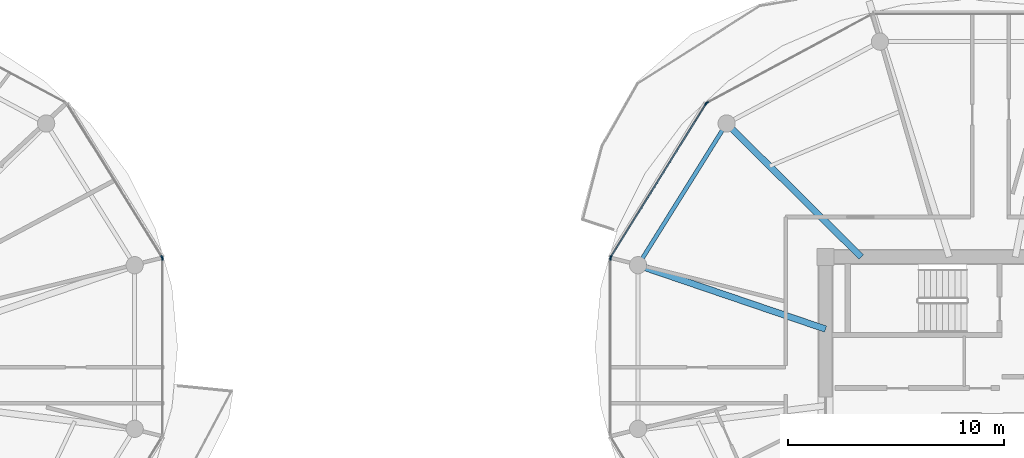
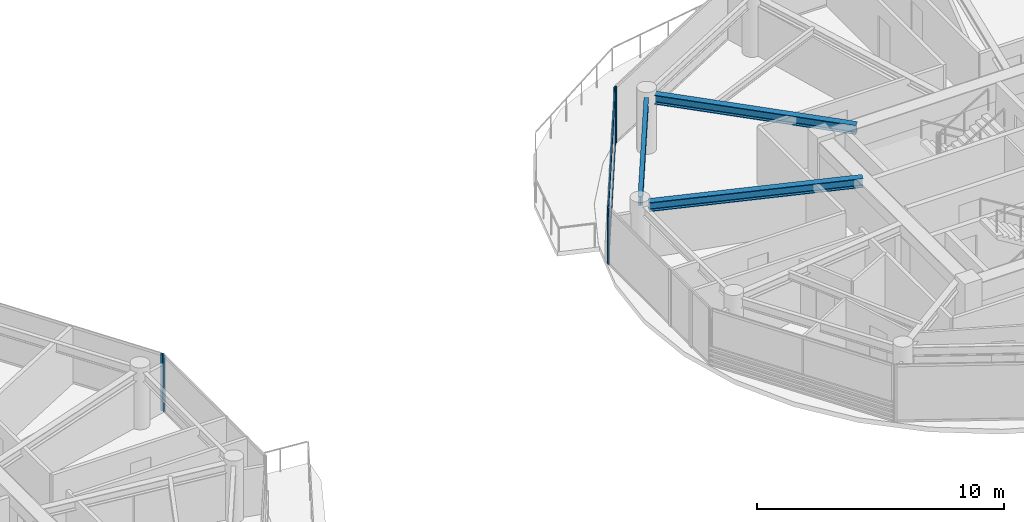
# One storey, part 7 of 22: 8 members, 3 beams, 5 elements without a shape of their own.
"""IFC4 building model written with IfcOpenShell, lengths in metres."""

from ifc_helpers import new_model, si_unit, direction, frame, origin, origin_2d, place, context, subcontext, project, spatial, rectangle, i_section, extrude, source, transform, mapped, material, layer, layer_set, material_profile, profile_set, type_object, type_shapes, element, aggregate, save


model = new_model("IFC4")

# Units and contexts
model_context = context("Model", 3, precision=1e-05, world=origin(), true_north=direction((0.0, 1.0)))
body_context = subcontext(model_context, "Body", "Model", "MODEL_VIEW")
ifc_project = project(units=[si_unit("LENGTHUNIT", "METRE"), si_unit("AREAUNIT", "SQUARE_METRE"), si_unit("VOLUMEUNIT", "CUBIC_METRE"), si_unit("PLANEANGLEUNIT", "RADIAN"), si_unit("MASSUNIT", "GRAM", prefix="KILO")], contexts=[model_context])

# Site, building, storey
site_placement = place(None, origin())
site = spatial("IfcSite", under=ifc_project, at=site_placement, CompositionType="ELEMENT")
building_placement = place(site_placement, origin())
building = spatial("IfcBuilding", under=site, at=building_placement, Name="Norrkilde Senior Care Towers", CompositionType="ELEMENT")
storey_placement = place(building_placement, frame((0.0, 0.0, 180.050048828125)))
storey = spatial("IfcBuildingStorey", under=building, at=storey_placement, Name="L56", CompositionType="ELEMENT", Elevation=180.050048828125)

# Beams
ifc_material_1 = material(Name="Steel S355", Category="steel")
ifc_material_profile_1 = material_profile(ifc_material_1, i_section(OverallWidth=0.18994140625, OverallDepth=0.449951171875, WebThickness=0.009521484375, FlangeThickness=0.0146484375, FilletRadius=0.02099609375, at=origin_2d()), Name="IPE 450")
ifc_profile_set_1 = profile_set([ifc_material_profile_1], Name="Steel S355")
beam_type_1 = type_object("IfcBeamType", Name="Perimeter Ring Spandrel Z3 IPE450", PredefinedType="SPANDREL", material=ifc_profile_set_1)
shared_shape_1 = source(origin(), body_context, "Body", "SweptSolid", [
    extrude(i_section(OverallWidth=0.18994140625, OverallDepth=0.449951171875, WebThickness=0.009521484375, FlangeThickness=0.0146484375, FilletRadius=0.02099609375, at=origin_2d()), origin(), (0.0, 0.0, 1.0), 7.0234375),
])
type_shapes(beam_type_1, [shared_shape_1])
beam_1_placement = place(storey_placement, frame((15.57666015625, 11.8291015625, 2.5849609375), z_axis=(-0.529789577822, -0.848129119433, 0.0), x_axis=(0.848129119433, -0.529789577822, 0.0)))
element("IfcBeam", 1, at=beam_1_placement, inside=storey, type_object=beam_type_1, Name="L56 Drum E Perimeter Spandrel 05", PredefinedType="SPANDREL", context=body_context, shape_type="MappedRepresentation", body=[
    mapped(shared_shape_1, transform((0.0, 0.0, 0.0), x_axis=(1.0, 0.0, 0.0), y_axis=(0.0, 1.0, 0.0), z_axis=(0.0, 0.0, 1.0), scale=1.0)),
])
ifc_material_profile_2 = material_profile(ifc_material_1, i_section(OverallWidth=0.300048828125, OverallDepth=0.449951171875, WebThickness=0.013916015625, FlangeThickness=0.02587890625, FilletRadius=0.027099609375, at=origin_2d()), Name="HEB 450")
ifc_profile_set_2 = profile_set([ifc_material_profile_2], Name="Steel S355")
beam_type_2 = type_object("IfcBeamType", Name="Radial Floor Beam Z3 HEB450", PredefinedType="BEAM", material=ifc_profile_set_2)
shared_shape_2 = source(origin(), body_context, "Body", "SweptSolid", [
    extrude(i_section(OverallWidth=0.300048828125, OverallDepth=0.449951171875, WebThickness=0.013916015625, FlangeThickness=0.02587890625, FilletRadius=0.027099609375, at=origin_2d()), origin(), (0.0, 0.0, 1.0), 8.8154296875),
])
beam_2_placement = place(storey_placement, frame((20.35009765625, 2.607177734375, 2.5849609375), z_axis=(-0.946540556878, 0.322584832539, 0.0), x_axis=(-0.322584832539, -0.946540556878, 0.0)))
element("IfcBeam", 2, at=beam_2_placement, inside=storey, type_object=beam_type_2, Name="L56 Drum E Radial Floor Beam 06", PredefinedType="BEAM", context=body_context, shape_type="MappedRepresentation", body=[
    mapped(shared_shape_2, transform((0.0, 0.0, 0.0), x_axis=(1.0, 0.0, 0.0), y_axis=(0.0, 1.0, 0.0), z_axis=(0.0, 0.0, 1.0), scale=1.0)),
])
shared_shape_3 = source(origin(), body_context, "Body", "SweptSolid", [
    extrude(i_section(OverallWidth=0.300048828125, OverallDepth=0.449951171875, WebThickness=0.013916015625, FlangeThickness=0.02587890625, FilletRadius=0.027099609375, at=origin_2d()), origin(), (0.0, 0.0, 1.0), 8.421630859375),
])
type_shapes(beam_type_2, [shared_shape_2, shared_shape_3])
beam_3_placement = place(storey_placement, frame((22.001953125, 5.949951171875, 2.5849609375), z_axis=(-0.709956495972, 0.704245535184, 0.0), x_axis=(-0.704245535184, -0.709956495972, 0.0)))
element("IfcBeam", 3, at=beam_3_placement, inside=storey, type_object=beam_type_2, Name="L56 Drum E Radial Floor Beam 05", PredefinedType="BEAM", context=body_context, shape_type="MappedRepresentation", body=[
    mapped(shared_shape_3, transform((0.0, 0.0, 0.0), x_axis=(1.0, 0.0, 0.0), y_axis=(0.0, 1.0, 0.0), z_axis=(0.0, 0.0, 1.0), scale=1.0)),
])

# Curtain wall, member
ifc_material_2 = material(Name="Triple Low-E Insulated Glazing", Category="glass")
ifc_layer = layer(ifc_material_2, 0.18994140625)
ifc_layer_set = layer_set([ifc_layer], Name="Triple Low-E Insulated Glazing")
curtain_wall_type = type_object("IfcCurtainWallType", Name="CW4 Zone 3 Senior Residence Curtain Wall", PredefinedType="NOTDEFINED", material=ifc_layer_set)
curtain_wall_1_placement = place(storey_placement, origin())
curtain_wall_1 = element("IfcCurtainWall", 4, at=curtain_wall_1_placement, inside=storey, type_object=curtain_wall_type, Name="L56 Drum W Curtain Wall 00", PredefinedType="NOTDEFINED")
ifc_material_3 = material(Name="Anodised Aluminium", Category="aluminium")
ifc_material_profile_3 = material_profile(ifc_material_3, rectangle(XDim=0.06494140625, YDim=0.14990234375, at=origin_2d()), Name="ALU MULL 65x150")
ifc_profile_set_3 = profile_set([ifc_material_profile_3], Name="Anodised Aluminium")
member_type_1 = type_object("IfcMemberType", Name="Curtain Wall Mullion Z3-Z4 65x150", PredefinedType="MULLION", material=ifc_profile_set_3)
shared_shape_4 = source(origin(), body_context, "Body", "SweptSolid", [
    extrude(rectangle(XDim=0.06494140625, YDim=0.14990234375, at=origin_2d()), origin(), (0.0, 0.0, 1.0), 2.81005859375),
])
type_shapes(member_type_1, [shared_shape_4])
member_1_placement = place(storey_placement, frame((-10.3974609375, 5.93896484375, 0.0), z_axis=(0.0, 0.0, 1.0), x_axis=(0.84963405474, 0.52737270789, 0.0)))
member_1 = element("IfcMember", 5, at=member_1_placement, type_object=member_type_1, Name="CW-4 mullion 2", PredefinedType="MULLION", context=body_context, shape_type="MappedRepresentation", body=[
    mapped(shared_shape_4, transform((0.0, 0.0, 0.0), x_axis=(1.0, 0.0, 0.0), y_axis=(0.0, 1.0, 0.0), z_axis=(0.0, 0.0, 1.0), scale=1.0)),
])
aggregate(curtain_wall_1, [member_1])

curtain_wall_2_placement = place(storey_placement, origin())
curtain_wall_2 = element("IfcCurtainWall", 6, at=curtain_wall_2_placement, inside=storey, type_object=curtain_wall_type, Name="L56 Drum W Curtain Wall 11", PredefinedType="NOTDEFINED")
member_2_placement = place(storey_placement, frame((-10.38037109375, 5.878662109375, 0.0), z_axis=(0.0, 0.0, 1.0), x_axis=(1.0, 0.0, 0.0)))
member_2 = element("IfcMember", 7, at=member_2_placement, type_object=member_type_1, Name="CW-4 mullion 1", PredefinedType="MULLION", context=body_context, shape_type="MappedRepresentation", body=[
    mapped(shared_shape_4, transform((0.0, 0.0, 0.0), x_axis=(1.0, 0.0, 0.0), y_axis=(0.0, 1.0, 0.0), z_axis=(0.0, 0.0, 1.0), scale=1.0)),
])
aggregate(curtain_wall_2, [member_2])

curtain_wall_3_placement = place(storey_placement, origin())
curtain_wall_3 = element("IfcCurtainWall", 8, at=curtain_wall_3_placement, inside=storey, type_object=curtain_wall_type, Name="L56 Drum E Curtain Wall 03", PredefinedType="NOTDEFINED")
member_3_placement = place(storey_placement, frame((14.85546875, 13.09033203125, 0.0), z_axis=(0.0, 0.0, 1.0), x_axis=(-0.47311715104, 0.880999524059, 0.0)))
member_3 = element("IfcMember", 9, at=member_3_placement, type_object=member_type_1, Name="CW-4 mullion 1", PredefinedType="MULLION", context=body_context, shape_type="MappedRepresentation", body=[
    mapped(shared_shape_4, transform((0.0, 0.0, 0.0), x_axis=(1.0, 0.0, 0.0), y_axis=(0.0, 1.0, 0.0), z_axis=(0.0, 0.0, 1.0), scale=1.0)),
])
aggregate(curtain_wall_3, [member_3])

# Curtain wall, members
curtain_wall_4_placement = place(storey_placement, origin())
curtain_wall_4 = element("IfcCurtainWall", 10, at=curtain_wall_4_placement, inside=storey, type_object=curtain_wall_type, Name="L56 Drum E Curtain Wall 04", PredefinedType="NOTDEFINED")
member_4_placement = place(storey_placement, frame((10.3974609375, 5.93896484375, 0.0), z_axis=(0.0, 0.0, 1.0), x_axis=(-0.84963405474, 0.52737270789, 0.0)))
member_4 = element("IfcMember", 11, at=member_4_placement, type_object=member_type_1, Name="CW-4 mullion 1", PredefinedType="MULLION", context=body_context, shape_type="MappedRepresentation", body=[
    mapped(shared_shape_4, transform((0.0, 0.0, 0.0), x_axis=(1.0, 0.0, 0.0), y_axis=(0.0, 1.0, 0.0), z_axis=(0.0, 0.0, 1.0), scale=1.0)),
])
member_5_placement = place(storey_placement, frame((14.809814453125, 13.04736328125, 0.0), z_axis=(0.0, 0.0, 1.0), x_axis=(-0.84963405474, 0.52737270789, 0.0)))
member_5 = element("IfcMember", 12, at=member_5_placement, type_object=member_type_1, Name="CW-4 mullion 2", PredefinedType="MULLION", context=body_context, shape_type="MappedRepresentation", body=[
    mapped(shared_shape_4, transform((0.0, 0.0, 0.0), x_axis=(1.0, 0.0, 0.0), y_axis=(0.0, 1.0, 0.0), z_axis=(0.0, 0.0, 1.0), scale=1.0)),
])

# Curtain wall, member
curtain_wall_5_placement = place(storey_placement, origin())
curtain_wall_5 = element("IfcCurtainWall", 13, at=curtain_wall_5_placement, inside=storey, type_object=curtain_wall_type, Name="L56 Drum E Curtain Wall 05", PredefinedType="NOTDEFINED")
member_6_placement = place(storey_placement, frame((10.38037109375, 5.878662109375, 0.0), z_axis=(0.0, 0.0, 1.0), x_axis=(-1.0, 0.0, 0.0)))
member_6 = element("IfcMember", 14, at=member_6_placement, type_object=member_type_1, Name="CW-4 mullion 2", PredefinedType="MULLION", context=body_context, shape_type="MappedRepresentation", body=[
    mapped(shared_shape_4, transform((0.0, 0.0, 0.0), x_axis=(1.0, 0.0, 0.0), y_axis=(0.0, 1.0, 0.0), z_axis=(0.0, 0.0, 1.0), scale=1.0)),
])
aggregate(curtain_wall_5, [member_6])

# Member
ifc_material_profile_4 = material_profile(ifc_material_3, rectangle(XDim=0.06005859375, YDim=0.1201171875, at=origin_2d()), Name="ALU TRAN 60x120")
ifc_profile_set_4 = profile_set([ifc_material_profile_4], Name="Anodised Aluminium")
member_type_2 = type_object("IfcMemberType", Name="Curtain Wall Transom Typical 60x120", PredefinedType="USERDEFINED", material=ifc_profile_set_4)
shared_shape_5 = source(origin(), body_context, "Body", "SweptSolid", [
    extrude(rectangle(XDim=0.06005859375, YDim=0.1201171875, at=origin_2d()), origin(), (0.0, 0.0, 1.0), 8.301513671875),
])
type_shapes(member_type_2, [shared_shape_5])
member_7_placement = place(storey_placement, frame((10.414794921875, 5.966552734375, 0.030029296875), z_axis=(0.527368718394, 0.849636531029, 0.0), x_axis=(-0.849636531029, 0.527368718394, 0.0)))
member_7 = element("IfcMember", 15, at=member_7_placement, type_object=member_type_2, Name="CW-4 transom 1.1", ObjectType="TRANSOM", PredefinedType="USERDEFINED", context=body_context, shape_type="MappedRepresentation", body=[
    mapped(shared_shape_5, transform((0.0, 0.0, 0.0), x_axis=(1.0, 0.0, 0.0), y_axis=(0.0, 1.0, 0.0), z_axis=(0.0, 0.0, 1.0), scale=1.0)),
])

member_8_placement = place(storey_placement, frame((10.414794921875, 5.966552734375, 2.780029296875), z_axis=(0.527368718394, 0.849636531029, 0.0), x_axis=(-0.849636531029, 0.527368718394, 0.0)))
member_8 = element("IfcMember", 16, at=member_8_placement, type_object=member_type_2, Name="CW-4 transom 1.2", ObjectType="TRANSOM", PredefinedType="USERDEFINED", context=body_context, shape_type="MappedRepresentation", body=[
    mapped(shared_shape_5, transform((0.0, 0.0, 0.0), x_axis=(1.0, 0.0, 0.0), y_axis=(0.0, 1.0, 0.0), z_axis=(0.0, 0.0, 1.0), scale=1.0)),
])

aggregate(curtain_wall_4, [member_4, member_5, member_7, member_8])

save(model, "model.ifc")
